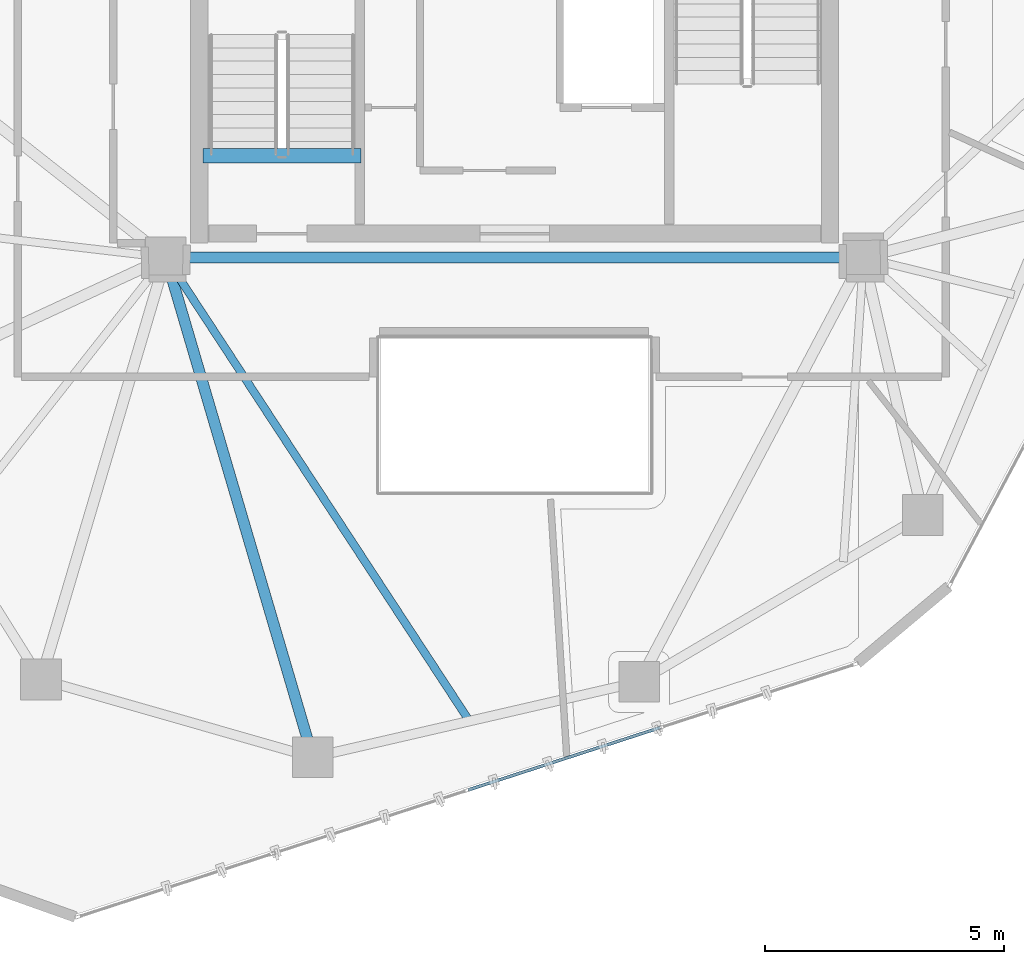
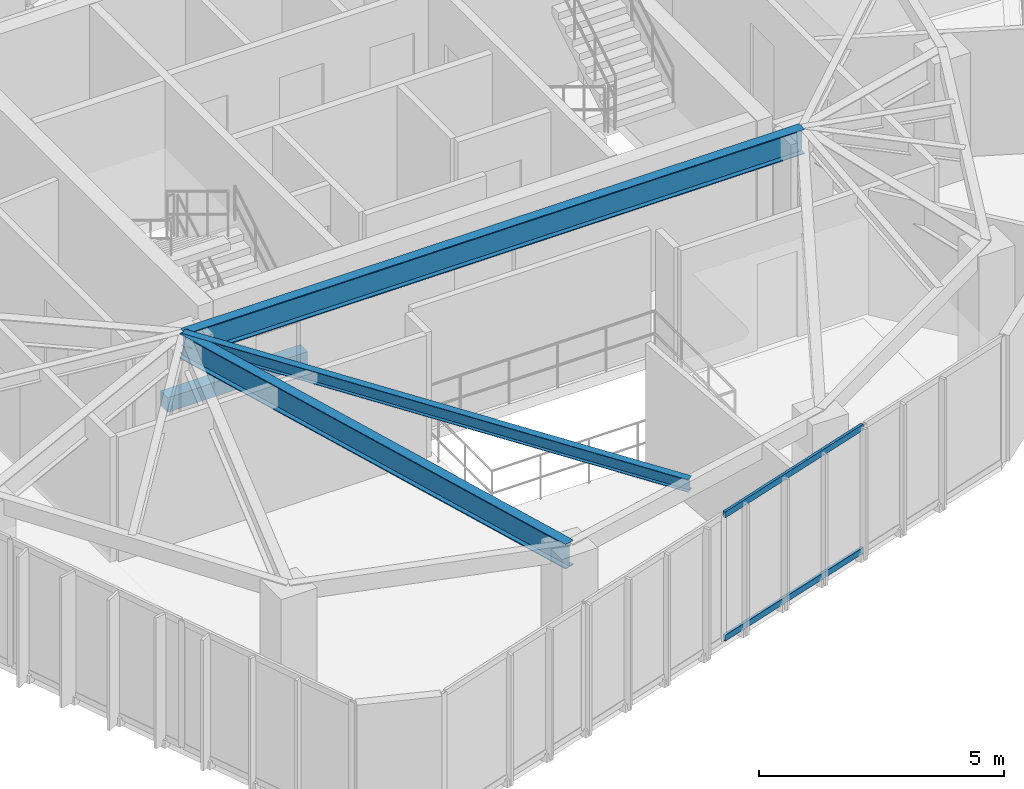
# One storey, part 5 of 19: 4 beams, 2 members, 1 element without a shape of its own.
"""IFC4 building model written with IfcOpenShell, lengths in metres."""

from ifc_helpers import new_model, si_unit, direction, frame, origin, origin_2d, place, context, subcontext, project, spatial, rectangle, hollow_rectangle, i_section, extrude, source, transform, mapped, material, layer, layer_set, material_profile, profile_set, type_object, type_shapes, element, aggregate, save


model = new_model("IFC4")

# Units and contexts
model_context = context("Model", 3, precision=1e-05, world=origin(), true_north=direction((0.0, 1.0)))
body_context = subcontext(model_context, "Body", "Model", "MODEL_VIEW")
ifc_project = project(units=[si_unit("LENGTHUNIT", "METRE"), si_unit("AREAUNIT", "SQUARE_METRE"), si_unit("VOLUMEUNIT", "CUBIC_METRE"), si_unit("PLANEANGLEUNIT", "RADIAN"), si_unit("MASSUNIT", "GRAM", prefix="KILO")], contexts=[model_context])

# Site, building, storey
site_placement = place(None, origin())
site = spatial("IfcSite", under=ifc_project, at=site_placement, CompositionType="ELEMENT")
building_placement = place(site_placement, origin())
building = spatial("IfcBuilding", under=site, at=building_placement, Name="Talar Marvaseh", CompositionType="ELEMENT")
storey_placement = place(building_placement, frame((0.0, 0.0, 288.39990234375)))
storey = spatial("IfcBuildingStorey", under=building, at=storey_placement, Name="L77", CompositionType="ELEMENT", Elevation=288.39990234375)

# Beams
ifc_material_1 = material(Name="Concrete C40/50", Category="concrete")
ifc_material_profile_1 = material_profile(ifc_material_1, rectangle(XDim=0.300048828125, YDim=0.360107421875, at=origin_2d()), Name="RC300x360")
ifc_profile_set_1 = profile_set([ifc_material_profile_1], Name="Concrete C40/50")
beam_type_1 = type_object("IfcBeamType", Name="Concrete Stair Landing Trimmer Beam RC300x360", PredefinedType="SPANDREL", material=ifc_profile_set_1)
beam_1_placement = place(storey_placement, frame((22.780029296875, 27.6298828125, -0.179931640625), z_axis=(-1.0, 0.0, 0.0), x_axis=(0.0, -1.0, 0.0)))
element("IfcBeam", 1, at=beam_1_placement, inside=storey, type_object=beam_type_1, Name="L77 ST-1 Stair Nosing Trimmer Beam", PredefinedType="SPANDREL", context=body_context, shape_type="SweptSolid", body=[
    extrude(rectangle(XDim=0.300048828125, YDim=0.360107421875, at=origin_2d()), origin(), (0.0, 0.0, 1.0), 3.300048828125),
])
ifc_material_2 = material(Name="Steel S355", Category="steel")
ifc_material_profile_2 = material_profile(ifc_material_2, i_section(OverallWidth=0.166015625, OverallDepth=0.31298828125, WebThickness=0.006591796875, FlangeThickness=0.01123046875, at=origin_2d()), Name="W310x45")
ifc_profile_set_2 = profile_set([ifc_material_profile_2], Name="Steel S355")
beam_type_2 = type_object("IfcBeamType", Name="Zone 3 Secondary Floor Joist W310x45", PredefinedType="JOIST", material=ifc_profile_set_2)
beam_2_placement = place(storey_placement, frame((25.053955078125, 15.797119140625, 2.983642578125), z_axis=(-0.547841891952, 0.836581891641, 0.0), x_axis=(-0.836581891641, -0.547841891952, 0.0)))
element("IfcBeam", 2, at=beam_2_placement, inside=storey, type_object=beam_type_2, Name="L77 Zone 3 Secondary Floor Joist W310x45", PredefinedType="JOIST", context=body_context, shape_type="SweptSolid", body=[
    extrude(i_section(OverallWidth=0.166015625, OverallDepth=0.31298828125, WebThickness=0.006591796875, FlangeThickness=0.01123046875, at=origin_2d()), origin(), (0.0, 0.0, 1.0), 11.59814453125),
])
ifc_material_profile_3 = material_profile(ifc_material_2, i_section(OverallWidth=0.22998046875, OverallDepth=0.616943359375, WebThickness=0.01318359375, FlangeThickness=0.022216796875, at=origin_2d()), Name="W610x140")
ifc_profile_set_3 = profile_set([ifc_material_profile_3], Name="Steel S355")
beam_type_3 = type_object("IfcBeamType", Name="Zone 4 Radial Floor Girder W610x140", PredefinedType="BEAM", material=ifc_profile_set_3)
beam_3_placement = place(storey_placement, frame((18.699951171875, 25.5, 2.83154296875), z_axis=(1.0, 0.0, 0.0), x_axis=(0.0, 1.0, 0.0)))
element("IfcBeam", 3, at=beam_3_placement, inside=storey, type_object=beam_type_3, Name="L77 Zone 4 Radial Floor Girder W610x140", PredefinedType="BEAM", context=body_context, shape_type="SweptSolid", body=[
    extrude(i_section(OverallWidth=0.22998046875, OverallDepth=0.616943359375, WebThickness=0.01318359375, FlangeThickness=0.022216796875, at=origin_2d()), origin(), (0.0, 0.0, 1.0), 14.60009765625),
])
beam_4_placement = place(storey_placement, frame((21.77587890625, 15.0400390625, 2.83154296875), z_axis=(-0.28212146763, 0.959378693479, 0.0), x_axis=(-0.959378693479, -0.28212146763, 0.0)))
element("IfcBeam", 4, at=beam_4_placement, inside=storey, type_object=beam_type_3, Name="L77 Zone 4 Radial Floor Girder W610x140", PredefinedType="BEAM", context=body_context, shape_type="SweptSolid", body=[
    extrude(i_section(OverallWidth=0.22998046875, OverallDepth=0.616943359375, WebThickness=0.01318359375, FlangeThickness=0.022216796875, at=origin_2d()), origin(), (0.0, 0.0, 1.0), 10.90283203125),
])

# Curtain wall, members
ifc_material_3 = material(Name="Architectural Aluminium", Category="aluminium")
ifc_layer = layer(ifc_material_3, 0.179931640625)
ifc_layer_set = layer_set([ifc_layer], Name="Architectural Aluminium")
curtain_wall_type = type_object("IfcCurtainWallType", Name="Unitised High-Wind Sky Curtain Wall Z4", PredefinedType="NOTDEFINED", material=ifc_layer_set)
curtain_wall_placement = place(storey_placement, origin())
curtain_wall = element("IfcCurtainWall", 5, at=curtain_wall_placement, inside=storey, type_object=curtain_wall_type, Name="L77 Unitised High-Wind Sky Curtain Wall Z4", PredefinedType="NOTDEFINED")
ifc_material_profile_4 = material_profile(ifc_material_3, hollow_rectangle(XDim=0.06494140625, YDim=0.14990234375, WallThickness=0.00390625, at=origin_2d()), Name="RHS150x65x4")
ifc_profile_set_4 = profile_set([ifc_material_profile_4], Name="Architectural Aluminium")
member_type = type_object("IfcMemberType", Name="Unitised Curtain Wall Slim Transom RHS150x65x4", PredefinedType="USERDEFINED", material=ifc_profile_set_4)
shared_shape = source(origin(), body_context, "Body", "SweptSolid", [
    extrude(hollow_rectangle(XDim=0.06494140625, YDim=0.14990234375, WallThickness=0.00390625, at=origin_2d()), origin(), (0.0, 0.0, 1.0), 4.221435546875),
])
type_shapes(member_type, [shared_shape])
member_1_placement = place(storey_placement, frame((29.043701171875, 15.6611328125, 0.03271484375), z_axis=(-0.951022167759, -0.309122688316, 0.0), x_axis=(0.309122688316, -0.951022167759, 0.0)))
member_1 = element("IfcMember", 6, at=member_1_placement, type_object=member_type, Name="CW-Z4 transom 2.1", ObjectType="TRANSOM", PredefinedType="USERDEFINED", context=body_context, shape_type="MappedRepresentation", body=[
    mapped(shared_shape, transform((0.0, 0.0, 0.0), x_axis=(1.0, 0.0, 0.0), y_axis=(0.0, 1.0, 0.0), z_axis=(0.0, 0.0, 1.0), scale=1.0)),
])
member_2_placement = place(storey_placement, frame((29.043701171875, 15.6611328125, 3.107666015625), z_axis=(-0.951022167759, -0.309122688316, 0.0), x_axis=(0.309122688316, -0.951022167759, 0.0)))
member_2 = element("IfcMember", 7, at=member_2_placement, type_object=member_type, Name="CW-Z4 transom 2.2", ObjectType="TRANSOM", PredefinedType="USERDEFINED", context=body_context, shape_type="MappedRepresentation", body=[
    mapped(shared_shape, transform((0.0, 0.0, 0.0), x_axis=(1.0, 0.0, 0.0), y_axis=(0.0, 1.0, 0.0), z_axis=(0.0, 0.0, 1.0), scale=1.0)),
])
aggregate(curtain_wall, [member_1, member_2])

save(model, "model.ifc")
